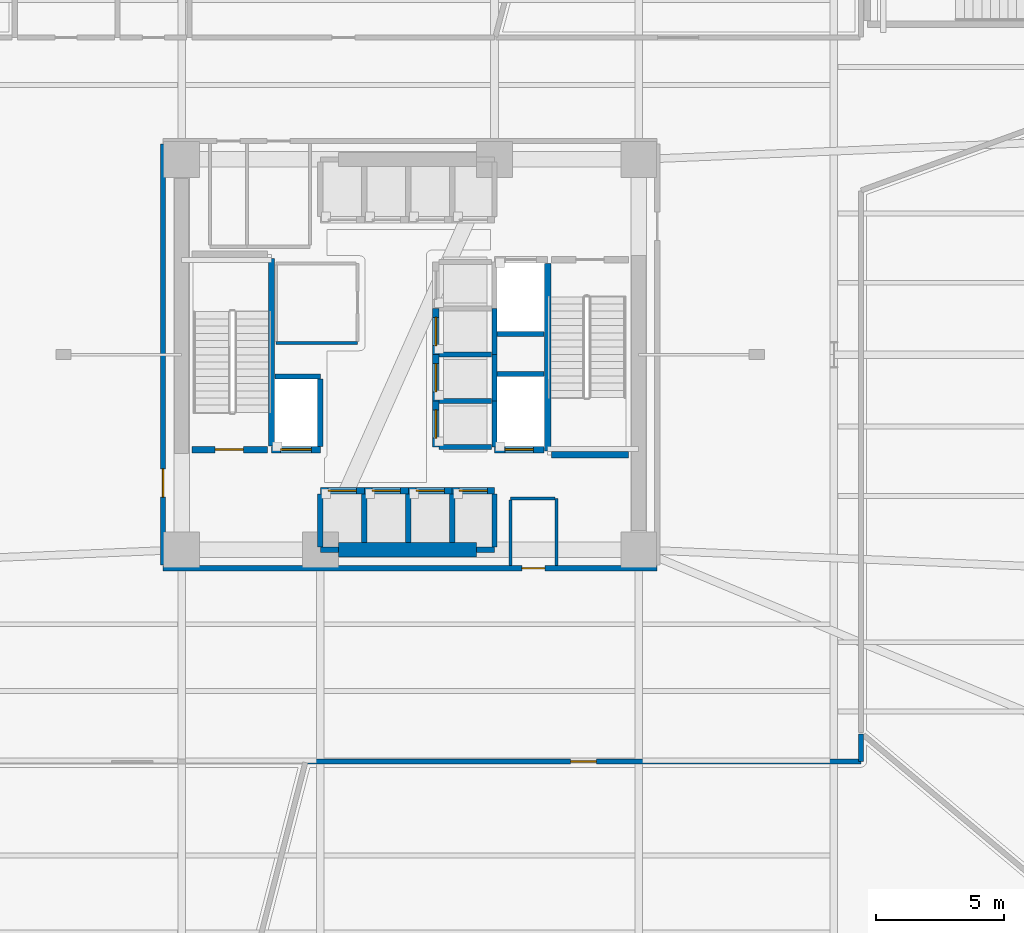
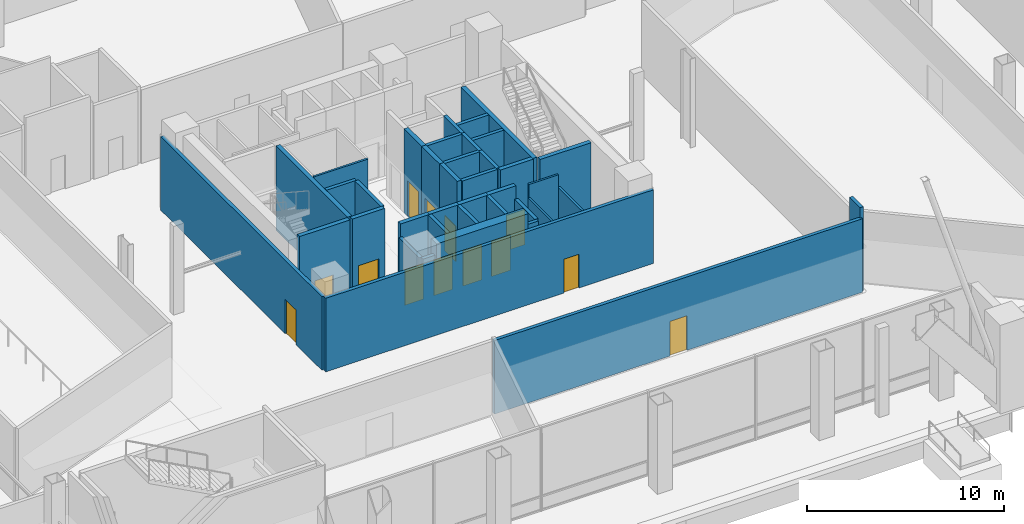
# One storey, part 15 of 27: 39 walls, 13 doors, 13 openings.
"""IFC4 building model written with IfcOpenShell, lengths in metres."""

from ifc_helpers import new_model, si_unit, direction, frame, frame_2d, origin, place, context, subcontext, project, spatial, rectangle, extrude, material, layer, layer_set, type_object, element, fill, save


model = new_model("IFC4")

# Units and contexts
model_context = context("Model", 3, precision=1e-05, world=origin(), true_north=direction((0.0, 1.0)))
body_context = subcontext(model_context, "Body", "Model", "MODEL_VIEW")
ifc_project = project(units=[si_unit("LENGTHUNIT", "METRE"), si_unit("AREAUNIT", "SQUARE_METRE"), si_unit("VOLUMEUNIT", "CUBIC_METRE"), si_unit("PLANEANGLEUNIT", "RADIAN"), si_unit("MASSUNIT", "GRAM", prefix="KILO")], contexts=[model_context])

# Site, building, storey
site_placement = place(None, origin())
site = spatial("IfcSite", under=ifc_project, at=site_placement, CompositionType="ELEMENT")
building_placement = place(site_placement, origin())
building = spatial("IfcBuilding", under=site, at=building_placement, Name="Tharavind Bronze Gate", CompositionType="ELEMENT")
storey_placement = place(building_placement, origin())
storey = spatial("IfcBuildingStorey", under=building, at=storey_placement, Name="L00", CompositionType="ELEMENT", Elevation=0.0)

# Wall, opening, door
ifc_material_1 = material(Name="Aerated Concrete Block", Category="concrete")
ifc_layer_1 = layer(ifc_material_1, 0.199951171875)
ifc_layer_set_1 = layer_set([ifc_layer_1], Name="Aerated Concrete Block")
wall_type_1 = type_object("IfcWallType", Name="FIRE RATED PARTITION 200", PredefinedType="PARTITIONING", material=ifc_layer_set_1)
wall_1_placement = place(storey_placement, frame((-9.6201171875, -8.320068359375, 0.0), z_axis=(0.0, 0.0, 1.0), x_axis=(1.0, 0.0, 0.0)))
wall_1 = element("IfcWall", 1, at=wall_1_placement, inside=storey, type_object=wall_type_1, Name="L00 south core corridor wall", PredefinedType="PARTITIONING", context=body_context, shape_type="SweptSolid", body=[
    extrude(rectangle(XDim=19.240234375, YDim=0.199951171875, at=frame_2d((9.6201171875, 0.0))), origin(), (0.0, 0.0, 1.0), 4.56494140625),
])
opening_1_placement = place(wall_1_placement, frame((13.969970703125, 0.0, 0.0)))
opening_1 = element("IfcOpeningElement", 2, at=opening_1_placement, cuts=wall_1, Name="Opening ID07", PredefinedType="OPENING", context=body_context, shape_type="SweptSolid", body=[
    extrude(rectangle(XDim=0.89990234375, YDim=2.10009765625, at=frame_2d((0.449951171875, 1.050048828125))), frame((0.0, 0.11009765625, 0.0), z_axis=(0.0, -1.0, 0.0), x_axis=(1.0, 0.0, 0.0)), (0.0, 0.0, 1.0), 0.219951171875),
])
ifc_material_2 = material(Name="Galvanised Fire Steel", Category="steel")
door_type_1 = type_object("IfcDoorType", Name="PLANT AND RISER FIRE DOOR 900X2100", OperationType="SINGLE_SWING_LEFT", PredefinedType="DOOR", material=ifc_material_2)
door_1_placement = place(opening_1_placement, frame((0.89990234375, 0.0, 0.0), z_axis=(0.0, 0.0, 1.0), x_axis=(-1.0, 0.0, 0.0)))
door_1 = element("IfcDoor", 3, at=door_1_placement, inside=storey, type_object=door_type_1, Name="L00 Janitor Store Cupboard fire door", OperationType="SINGLE_SWING_LEFT", OverallHeight=2.10009765625, OverallWidth=0.89990234375, PredefinedType="DOOR", context=body_context, shape_type="SweptSolid", body=[
    extrude(rectangle(XDim=0.89990234375, YDim=2.10009765625, at=frame_2d((0.449951171875, 1.050048828125))), frame((0.0, 0.02490234375, 0.0), z_axis=(0.0, -1.0, 0.0), x_axis=(1.0, 0.0, 0.0)), (0.0, 0.0, 1.0), 0.050048828125),
])
fill(opening_1, door_1)

wall_2_placement = place(storey_placement, frame((-9.6201171875, 8.199951171875, 0.0), z_axis=(0.0, 0.0, 1.0), x_axis=(0.0, -1.0, 0.0)))
wall_2 = element("IfcWall", 4, at=wall_2_placement, inside=storey, type_object=wall_type_1, Name="L00 west core corridor wall", PredefinedType="PARTITIONING", context=body_context, shape_type="SweptSolid", body=[
    extrude(rectangle(XDim=16.39990234375, YDim=0.199951171875, at=frame_2d((8.199951171875, 0.0))), origin(), (0.0, 0.0, 1.0), 4.56494140625),
])
opening_2_placement = place(wall_2_placement, frame((12.64990234375, 0.0, 0.0)))
opening_2 = element("IfcOpeningElement", 5, at=opening_2_placement, cuts=wall_2, Name="Opening ID01", PredefinedType="OPENING", context=body_context, shape_type="SweptSolid", body=[
    extrude(rectangle(XDim=1.10009765625, YDim=2.14990234375, at=frame_2d((0.550048828125, 1.074951171875))), frame((0.0, 0.11009765625, 0.0), z_axis=(0.0, -1.0, 0.0), x_axis=(1.0, 0.0, 0.0)), (0.0, 0.0, 1.0), 0.219951171875),
])
ifc_material_3 = material(Name="Fire-Rated Steel", Category="steel")
door_type_2 = type_object("IfcDoorType", Name="STAIR CORE FIRE DOOR 1100X2150", OperationType="SINGLE_SWING_LEFT", PredefinedType="DOOR", material=ifc_material_3)
door_2_placement = place(opening_2_placement, frame((1.10009765625, 0.0, 0.0), z_axis=(0.0, 0.0, 1.0), x_axis=(-1.0, 0.0, 0.0)))
door_2 = element("IfcDoor", 6, at=door_2_placement, inside=storey, type_object=door_type_2, Name="L00 south west stair lobby fire door", OperationType="SINGLE_SWING_LEFT", OverallHeight=2.14990234375, OverallWidth=1.10009765625, PredefinedType="DOOR", context=body_context, shape_type="SweptSolid", body=[
    extrude(rectangle(XDim=1.10009765625, YDim=2.14990234375, at=frame_2d((0.550048828125, 1.074951171875))), frame((0.0, 0.02490234375, 0.0), z_axis=(0.0, -1.0, 0.0), x_axis=(1.0, 0.0, 0.0)), (0.0, 0.0, 1.0), 0.050048828125),
])
fill(opening_2, door_2)

wall_3_placement = place(storey_placement, frame((-4.05615234375, -15.85009765625, 0.0), z_axis=(0.0, 0.0, 1.0), x_axis=(1.0, 0.0, 0.0)))
wall_3 = element("IfcWall", 7, at=wall_3_placement, inside=storey, type_object=wall_type_1, Name="L00 Security Control Room partition", PredefinedType="PARTITIONING", context=body_context, shape_type="SweptSolid", body=[
    extrude(rectangle(XDim=21.60546875, YDim=0.199951171875, at=frame_2d((10.802734375, 0.0))), origin(), (0.0, 0.0, 1.0), 4.56494140625),
])
opening_3_placement = place(wall_3_placement, frame((10.302978515625, 0.0, 0.0)))
opening_3 = element("IfcOpeningElement", 8, at=opening_3_placement, cuts=wall_3, Name="Opening ID04", PredefinedType="OPENING", context=body_context, shape_type="SweptSolid", body=[
    extrude(rectangle(XDim=1.0, YDim=2.14990234375, at=frame_2d((0.5, 1.074951171875))), frame((0.0, 0.11009765625, 0.0), z_axis=(0.0, -1.0, 0.0), x_axis=(1.0, 0.0, 0.0)), (0.0, 0.0, 1.0), 0.219951171875),
])
ifc_material_4 = material(Name="Bronze Framed Acoustic Timber", Category="wood")
door_type_3 = type_object("IfcDoorType", Name="OFFICE TENANCY DOOR 1000X2150", OperationType="SINGLE_SWING_RIGHT", PredefinedType="DOOR", material=ifc_material_4)
door_3_placement = place(opening_3_placement, frame((1.0, 0.0, 0.0), z_axis=(0.0, 0.0, 1.0), x_axis=(-1.0, 0.0, 0.0)))
door_3 = element("IfcDoor", 9, at=door_3_placement, inside=storey, type_object=door_type_3, Name="L00 Security Control Room door", OperationType="SINGLE_SWING_RIGHT", OverallHeight=2.14990234375, OverallWidth=1.0, PredefinedType="DOOR", context=body_context, shape_type="SweptSolid", body=[
    extrude(rectangle(XDim=1.0, YDim=2.14990234375, at=frame_2d((0.5, 1.074951171875))), frame((0.0, 0.02490234375, 0.0), z_axis=(0.0, -1.0, 0.0), x_axis=(1.0, 0.0, 0.0)), (0.0, 0.0, 1.0), 0.050048828125),
])
fill(opening_3, door_3)

# Walls
wall_4_placement = place(storey_placement, frame((17.550048828125, -15.849365234375, 0.0), z_axis=(0.0, 0.0, 1.0), x_axis=(0.0, 1.0, 0.0)))
element("IfcWall", 10, at=wall_4_placement, inside=storey, type_object=wall_type_1, Name="L00 Security Control Room partition", PredefinedType="PARTITIONING", context=body_context, shape_type="SweptSolid", body=[
    extrude(rectangle(XDim=1.069580078125, YDim=0.199951171875, at=frame_2d((0.53466796875, 0.0))), origin(), (0.0, 0.0, 1.0), 5.219970703125),
])
ifc_material_5 = material(Name="Metal Stud Gypsum Partition", Category="gypsum")
ifc_layer_2 = layer(ifc_material_5, 0.1201171875)
ifc_layer_set_2 = layer_set([ifc_layer_2], Name="Metal Stud Gypsum Partition")
wall_type_2 = type_object("IfcWallType", Name="INTERIOR PARTITION WALL 120", PredefinedType="PARTITIONING", material=ifc_layer_set_2)
wall_5_placement = place(storey_placement, frame((-5.219970703125, 0.449951171875, 0.0), z_axis=(0.0, 0.0, 1.0), x_axis=(1.0, 0.0, 0.0)))
element("IfcWall", 11, at=wall_5_placement, inside=storey, type_object=wall_type_2, Name="L00 Electrical & Telecom Store partition 1", PredefinedType="PARTITIONING", context=body_context, shape_type="SweptSolid", body=[
    extrude(rectangle(XDim=3.169921875, YDim=0.1201171875, at=frame_2d((1.5849609375, 0.0))), origin(), (0.0, 0.0, 1.0), 5.219970703125),
])
wall_6_placement = place(storey_placement, frame((5.699951171875, -8.215087890625, 0.0), z_axis=(0.0, 0.0, 1.0), x_axis=(0.0, 1.0, 0.0)))
element("IfcWall", 12, at=wall_6_placement, inside=storey, type_object=wall_type_2, Name="L00 Janitor Store Cupboard partition 2", PredefinedType="PARTITIONING", context=body_context, shape_type="SweptSolid", body=[
    extrude(rectangle(XDim=2.614990234375, YDim=0.1201171875, at=frame_2d((1.3076171875, 0.0))), origin(), (0.0, 0.0, 1.0), 4.4150390625),
])
wall_7_placement = place(storey_placement, frame((5.635009765625, -5.60009765625, 0.0), z_axis=(0.0, 0.0, 1.0), x_axis=(-1.0, 0.0, 0.0)))
element("IfcWall", 13, at=wall_7_placement, inside=storey, type_object=wall_type_2, Name="L00 Janitor Store Cupboard partition 3", PredefinedType="PARTITIONING", context=body_context, shape_type="SweptSolid", body=[
    extrude(rectangle(XDim=1.735107421875, YDim=0.1201171875, at=frame_2d((0.86767578125, 0.0))), origin(), (0.0, 0.0, 1.0), 5.219970703125),
])
wall_8_placement = place(storey_placement, frame((3.89990234375, -5.6650390625, 0.0), z_axis=(0.0, 0.0, 1.0), x_axis=(0.0, -1.0, 0.0)))
element("IfcWall", 14, at=wall_8_placement, inside=storey, type_object=wall_type_2, Name="L00 Janitor Store Cupboard partition 4", PredefinedType="PARTITIONING", context=body_context, shape_type="SweptSolid", body=[
    extrude(rectangle(XDim=2.550048828125, YDim=0.1201171875, at=frame_2d((1.27490234375, 0.0))), origin(), (0.0, 0.0, 1.0), 4.4150390625),
])
ifc_material_6 = material(Name="Concrete C50/60", Category="concrete")
ifc_layer_3 = layer(ifc_material_6, 0.25)
ifc_layer_set_3 = layer_set([ifc_layer_3], Name="Concrete C50/60")
wall_type_3 = type_object("IfcWallType", Name="RC CORE SHEAR WALL 250", PredefinedType="SHEAR", material=ifc_layer_set_3)
wall_9_placement = place(storey_placement, frame((-5.39990234375, -3.550048828125, 0.0), z_axis=(0.0, 0.0, 1.0), x_axis=(0.0, 1.0, 0.0)))
element("IfcWall", 15, at=wall_9_placement, inside=storey, type_object=wall_type_3, Name="L00 ST1 shaft east wall", PredefinedType="SHEAR", context=body_context, shape_type="SweptSolid", body=[
    extrude(rectangle(XDim=7.300048828125, YDim=0.25, at=frame_2d((3.64990234375, 0.0))), origin(), (0.0, 0.0, 1.0), 5.219970703125),
])

# Wall, opening, door
wall_10_placement = place(storey_placement, frame((-8.5, -3.699951171875, 0.0), z_axis=(0.0, 0.0, 1.0), x_axis=(1.0, 0.0, 0.0)))
wall_10 = element("IfcWall", 16, at=wall_10_placement, inside=storey, type_object=wall_type_3, Name="L00 ST1 shaft south wall", PredefinedType="SHEAR", context=body_context, shape_type="SweptSolid", body=[
    extrude(rectangle(XDim=2.949951171875, YDim=0.25, at=frame_2d((1.47509765625, 0.0))), origin(), (0.0, 0.0, 1.0), 5.219970703125),
])
opening_4_placement = place(wall_10_placement, frame((0.89990234375, 0.0, 0.0)))
opening_4 = element("IfcOpeningElement", 17, at=opening_4_placement, cuts=wall_10, Name="Opening ID01", PredefinedType="OPENING", context=body_context, shape_type="SweptSolid", body=[
    extrude(rectangle(XDim=1.10009765625, YDim=2.14990234375, at=frame_2d((0.550048828125, 1.074951171875))), frame((0.0, 0.135, 0.0), z_axis=(0.0, -1.0, 0.0), x_axis=(1.0, 0.0, 0.0)), (0.0, 0.0, 1.0), 0.27),
])
door_4_placement = place(opening_4_placement, origin())
door_4 = element("IfcDoor", 18, at=door_4_placement, inside=storey, type_object=door_type_2, Name="L00 exit stair ST1 fire door", OperationType="SINGLE_SWING_LEFT", OverallHeight=2.14990234375, OverallWidth=1.10009765625, PredefinedType="DOOR", context=body_context, shape_type="SweptSolid", body=[
    extrude(rectangle(XDim=1.10009765625, YDim=2.14990234375, at=frame_2d((0.550048828125, 1.074951171875))), frame((0.0, 0.02490234375, 0.0), z_axis=(0.0, -1.0, 0.0), x_axis=(1.0, 0.0, 0.0)), (0.0, 0.0, 1.0), 0.050048828125),
])
fill(opening_4, door_4)

# Walls
wall_11_placement = place(storey_placement, frame((5.35009765625, -3.75, 0.0), z_axis=(0.0, 0.0, 1.0), x_axis=(0.0, 1.0, 0.0)))
element("IfcWall", 19, at=wall_11_placement, inside=storey, type_object=wall_type_3, Name="L00 ST2 shaft west wall", PredefinedType="SHEAR", context=body_context, shape_type="SweptSolid", body=[
    extrude(rectangle(XDim=7.300048828125, YDim=0.25, at=frame_2d((3.64990234375, 0.0))), origin(), (0.0, 0.0, 1.0), 5.219970703125),
])
wall_12_placement = place(storey_placement, frame((5.5, -3.89990234375, 0.0), z_axis=(0.0, 0.0, 1.0), x_axis=(1.0, 0.0, 0.0)))
element("IfcWall", 20, at=wall_12_placement, inside=storey, type_object=wall_type_3, Name="L00 ST2 shaft south wall", PredefinedType="SHEAR", context=body_context, shape_type="SweptSolid", body=[
    extrude(rectangle(XDim=3.0, YDim=0.25, at=frame_2d((1.5, 0.0))), origin(), (0.0, 0.0, 1.0), 5.219970703125),
])

# Wall, opening, door
wall_13_placement = place(storey_placement, frame((-3.5, -5.300048828125, 0.0), z_axis=(0.0, 0.0, 1.0), x_axis=(1.0, 0.0, 0.0)))
wall_13 = element("IfcWall", 21, at=wall_13_placement, inside=storey, type_object=wall_type_3, Name="L00 lift PL1 shaft front wall", PredefinedType="SHEAR", context=body_context, shape_type="SweptSolid", body=[
    extrude(rectangle(XDim=1.71240234375, YDim=0.25, at=frame_2d((0.856201171875, 0.0))), origin(), (0.0, 0.0, 1.0), 5.219970703125),
])
opening_5_placement = place(wall_13_placement, frame((0.305908203125, 0.0, 0.0)))
opening_5 = element("IfcOpeningElement", 22, at=opening_5_placement, cuts=wall_13, Name="Opening LD01", PredefinedType="OPENING", context=body_context, shape_type="SweptSolid", body=[
    extrude(rectangle(XDim=1.10009765625, YDim=2.199951171875, at=frame_2d((0.550048828125, 1.10009765625))), frame((0.0, 0.135, 0.0), z_axis=(0.0, -1.0, 0.0), x_axis=(1.0, 0.0, 0.0)), (0.0, 0.0, 1.0), 0.27),
])
ifc_material_7 = material(Name="Brushed Bronze Stainless Steel", Category="steel")
door_type_4 = type_object("IfcDoorType", Name="LIFT LANDING SLIDING DOOR 1100X2200", OperationType="SLIDING_TO_LEFT", PredefinedType="DOOR", material=ifc_material_7)
door_5_placement = place(opening_5_placement, origin())
door_5 = element("IfcDoor", 23, at=door_5_placement, inside=storey, type_object=door_type_4, Name="L00 lift PL1 sliding landing door", OperationType="SLIDING_TO_LEFT", OverallHeight=2.199951171875, OverallWidth=1.10009765625, PredefinedType="DOOR", context=body_context, shape_type="SweptSolid", body=[
    extrude(rectangle(XDim=1.10009765625, YDim=2.199951171875, at=frame_2d((0.550048828125, 1.10009765625))), frame((0.0, 0.02490234375, 0.0), z_axis=(0.0, -1.0, 0.0), x_axis=(1.0, 0.0, 0.0)), (0.0, 0.0, 1.0), 0.050048828125),
])
fill(opening_5, door_5)

wall_14_placement = place(storey_placement, frame((-1.78759765625, -5.300048828125, 0.0), z_axis=(0.0, 0.0, 1.0), x_axis=(1.0, 0.0, 0.0)))
wall_14 = element("IfcWall", 24, at=wall_14_placement, inside=storey, type_object=wall_type_3, Name="L00 lift PL2 shaft front wall", PredefinedType="SHEAR", context=body_context, shape_type="SweptSolid", body=[
    extrude(rectangle(XDim=1.712646484375, YDim=0.25, at=frame_2d((0.8564453125, 0.0))), origin(), (0.0, 0.0, 1.0), 5.219970703125),
])
opening_6_placement = place(wall_14_placement, frame((0.305908203125, 0.0, 0.0)))
opening_6 = element("IfcOpeningElement", 25, at=opening_6_placement, cuts=wall_14, Name="Opening LD01", PredefinedType="OPENING", context=body_context, shape_type="SweptSolid", body=[
    extrude(rectangle(XDim=1.10009765625, YDim=2.199951171875, at=frame_2d((0.550048828125, 1.10009765625))), frame((0.0, 0.135, 0.0), z_axis=(0.0, -1.0, 0.0), x_axis=(1.0, 0.0, 0.0)), (0.0, 0.0, 1.0), 0.27),
])
door_6_placement = place(opening_6_placement, origin())
door_6 = element("IfcDoor", 26, at=door_6_placement, inside=storey, type_object=door_type_4, Name="L00 lift PL2 sliding landing door", OperationType="SLIDING_TO_LEFT", OverallHeight=2.199951171875, OverallWidth=1.10009765625, PredefinedType="DOOR", context=body_context, shape_type="SweptSolid", body=[
    extrude(rectangle(XDim=1.10009765625, YDim=2.199951171875, at=frame_2d((0.550048828125, 1.10009765625))), frame((0.0, 0.02490234375, 0.0), z_axis=(0.0, -1.0, 0.0), x_axis=(1.0, 0.0, 0.0)), (0.0, 0.0, 1.0), 0.050048828125),
])
fill(opening_6, door_6)

wall_15_placement = place(storey_placement, frame((-0.074951171875, -5.300048828125, 0.0), z_axis=(0.0, 0.0, 1.0), x_axis=(1.0, 0.0, 0.0)))
wall_15 = element("IfcWall", 27, at=wall_15_placement, inside=storey, type_object=wall_type_3, Name="L00 lift PL3 shaft front wall", PredefinedType="SHEAR", context=body_context, shape_type="SweptSolid", body=[
    extrude(rectangle(XDim=1.71240234375, YDim=0.25, at=frame_2d((0.856201171875, 0.0))), origin(), (0.0, 0.0, 1.0), 5.219970703125),
])
opening_7_placement = place(wall_15_placement, frame((0.305908203125, 0.0, 0.0)))
opening_7 = element("IfcOpeningElement", 28, at=opening_7_placement, cuts=wall_15, Name="Opening LD01", PredefinedType="OPENING", context=body_context, shape_type="SweptSolid", body=[
    extrude(rectangle(XDim=1.10009765625, YDim=2.199951171875, at=frame_2d((0.550048828125, 1.10009765625))), frame((0.0, 0.135, 0.0), z_axis=(0.0, -1.0, 0.0), x_axis=(1.0, 0.0, 0.0)), (0.0, 0.0, 1.0), 0.27),
])
door_7_placement = place(opening_7_placement, origin())
door_7 = element("IfcDoor", 29, at=door_7_placement, inside=storey, type_object=door_type_4, Name="L00 lift PL3 sliding landing door", OperationType="SLIDING_TO_LEFT", OverallHeight=2.199951171875, OverallWidth=1.10009765625, PredefinedType="DOOR", context=body_context, shape_type="SweptSolid", body=[
    extrude(rectangle(XDim=1.10009765625, YDim=2.199951171875, at=frame_2d((0.550048828125, 1.10009765625))), frame((0.0, 0.02490234375, 0.0), z_axis=(0.0, -1.0, 0.0), x_axis=(1.0, 0.0, 0.0)), (0.0, 0.0, 1.0), 0.050048828125),
])
fill(opening_7, door_7)

wall_16_placement = place(storey_placement, frame((1.637451171875, -5.300048828125, 0.0), z_axis=(0.0, 0.0, 1.0), x_axis=(1.0, 0.0, 0.0)))
wall_16 = element("IfcWall", 30, at=wall_16_placement, inside=storey, type_object=wall_type_3, Name="L00 lift PL4 shaft front wall", PredefinedType="SHEAR", context=body_context, shape_type="SweptSolid", body=[
    extrude(rectangle(XDim=1.642578125, YDim=0.25, at=frame_2d((0.8212890625, 0.0))), origin(), (0.0, 0.0, 1.0), 5.219970703125),
])
opening_8_placement = place(wall_16_placement, frame((0.27099609375, 0.0, 0.0)))
opening_8 = element("IfcOpeningElement", 31, at=opening_8_placement, cuts=wall_16, Name="Opening LD01", PredefinedType="OPENING", context=body_context, shape_type="SweptSolid", body=[
    extrude(rectangle(XDim=1.10009765625, YDim=2.199951171875, at=frame_2d((0.550048828125, 1.10009765625))), frame((0.0, 0.135, 0.0), z_axis=(0.0, -1.0, 0.0), x_axis=(1.0, 0.0, 0.0)), (0.0, 0.0, 1.0), 0.27),
])
door_8_placement = place(opening_8_placement, origin())
door_8 = element("IfcDoor", 32, at=door_8_placement, inside=storey, type_object=door_type_4, Name="L00 lift PL4 sliding landing door", OperationType="SLIDING_TO_LEFT", OverallHeight=2.199951171875, OverallWidth=1.10009765625, PredefinedType="DOOR", context=body_context, shape_type="SweptSolid", body=[
    extrude(rectangle(XDim=1.10009765625, YDim=2.199951171875, at=frame_2d((0.550048828125, 1.10009765625))), frame((0.0, 0.02490234375, 0.0), z_axis=(0.0, -1.0, 0.0), x_axis=(1.0, 0.0, 0.0)), (0.0, 0.0, 1.0), 0.050048828125),
])
fill(opening_8, door_8)

wall_17_placement = place(storey_placement, frame((1.0, -3.60009765625, 0.0), z_axis=(0.0, 0.0, 1.0), x_axis=(0.0, 1.0, 0.0)))
wall_17 = element("IfcWall", 33, at=wall_17_placement, inside=storey, type_object=wall_type_3, Name="L00 lift PL9 shaft front wall", PredefinedType="SHEAR", context=body_context, shape_type="SweptSolid", body=[
    extrude(rectangle(XDim=1.800048828125, YDim=0.25, at=frame_2d((0.89990234375, 0.0))), origin(), (0.0, 0.0, 1.0), 5.219970703125),
])
opening_9_placement = place(wall_17_placement, frame((0.35009765625, 0.0, 0.0)))
opening_9 = element("IfcOpeningElement", 34, at=opening_9_placement, cuts=wall_17, Name="Opening LD01", PredefinedType="OPENING", context=body_context, shape_type="SweptSolid", body=[
    extrude(rectangle(XDim=1.10009765625, YDim=2.199951171875, at=frame_2d((0.550048828125, 1.10009765625))), frame((0.0, 0.135, 0.0), z_axis=(0.0, -1.0, 0.0), x_axis=(1.0, 0.0, 0.0)), (0.0, 0.0, 1.0), 0.27),
])
door_9_placement = place(opening_9_placement, origin())
door_9 = element("IfcDoor", 35, at=door_9_placement, inside=storey, type_object=door_type_4, Name="L00 lift PL9 sliding landing door", OperationType="SLIDING_TO_LEFT", OverallHeight=2.199951171875, OverallWidth=1.10009765625, PredefinedType="DOOR", context=body_context, shape_type="SweptSolid", body=[
    extrude(rectangle(XDim=1.10009765625, YDim=2.199951171875, at=frame_2d((0.550048828125, 1.10009765625))), frame((0.0, 0.02490234375, 0.0), z_axis=(0.0, -1.0, 0.0), x_axis=(1.0, 0.0, 0.0)), (0.0, 0.0, 1.0), 0.050048828125),
])
fill(opening_9, door_9)

wall_18_placement = place(storey_placement, frame((1.0, -1.800048828125, 0.0), z_axis=(0.0, 0.0, 1.0), x_axis=(0.0, 1.0, 0.0)))
wall_18 = element("IfcWall", 36, at=wall_18_placement, inside=storey, type_object=wall_type_3, Name="L00 lift PL10 shaft front wall", PredefinedType="SHEAR", context=body_context, shape_type="SweptSolid", body=[
    extrude(rectangle(XDim=1.800048828125, YDim=0.25, at=frame_2d((0.89990234375, 0.0))), origin(), (0.0, 0.0, 1.0), 5.219970703125),
])
opening_10_placement = place(wall_18_placement, frame((0.35009765625, 0.0, 0.0)))
opening_10 = element("IfcOpeningElement", 37, at=opening_10_placement, cuts=wall_18, Name="Opening LD01", PredefinedType="OPENING", context=body_context, shape_type="SweptSolid", body=[
    extrude(rectangle(XDim=1.10009765625, YDim=2.199951171875, at=frame_2d((0.550048828125, 1.10009765625))), frame((0.0, 0.135, 0.0), z_axis=(0.0, -1.0, 0.0), x_axis=(1.0, 0.0, 0.0)), (0.0, 0.0, 1.0), 0.27),
])
door_10_placement = place(opening_10_placement, origin())
door_10 = element("IfcDoor", 38, at=door_10_placement, inside=storey, type_object=door_type_4, Name="L00 lift PL10 sliding landing door", OperationType="SLIDING_TO_LEFT", OverallHeight=2.199951171875, OverallWidth=1.10009765625, PredefinedType="DOOR", context=body_context, shape_type="SweptSolid", body=[
    extrude(rectangle(XDim=1.10009765625, YDim=2.199951171875, at=frame_2d((0.550048828125, 1.10009765625))), frame((0.0, 0.02490234375, 0.0), z_axis=(0.0, -1.0, 0.0), x_axis=(1.0, 0.0, 0.0)), (0.0, 0.0, 1.0), 0.050048828125),
])
fill(opening_10, door_10)

wall_19_placement = place(storey_placement, frame((1.0, 0.0, 0.0), z_axis=(0.0, 0.0, 1.0), x_axis=(0.0, 1.0, 0.0)))
wall_19 = element("IfcWall", 39, at=wall_19_placement, inside=storey, type_object=wall_type_3, Name="L00 lift PL11 shaft front wall", PredefinedType="SHEAR", context=body_context, shape_type="SweptSolid", body=[
    extrude(rectangle(XDim=1.800048828125, YDim=0.25, at=frame_2d((0.89990234375, 0.0))), origin(), (0.0, 0.0, 1.0), 5.219970703125),
])
opening_11_placement = place(wall_19_placement, frame((0.35009765625, 0.0, 0.0)))
opening_11 = element("IfcOpeningElement", 40, at=opening_11_placement, cuts=wall_19, Name="Opening LD01", PredefinedType="OPENING", context=body_context, shape_type="SweptSolid", body=[
    extrude(rectangle(XDim=1.10009765625, YDim=2.199951171875, at=frame_2d((0.550048828125, 1.10009765625))), frame((0.0, 0.135, 0.0), z_axis=(0.0, -1.0, 0.0), x_axis=(1.0, 0.0, 0.0)), (0.0, 0.0, 1.0), 0.27),
])
door_11_placement = place(opening_11_placement, origin())
door_11 = element("IfcDoor", 41, at=door_11_placement, inside=storey, type_object=door_type_4, Name="L00 lift PL11 sliding landing door", OperationType="SLIDING_TO_LEFT", OverallHeight=2.199951171875, OverallWidth=1.10009765625, PredefinedType="DOOR", context=body_context, shape_type="SweptSolid", body=[
    extrude(rectangle(XDim=1.10009765625, YDim=2.199951171875, at=frame_2d((0.550048828125, 1.10009765625))), frame((0.0, 0.02490234375, 0.0), z_axis=(0.0, -1.0, 0.0), x_axis=(1.0, 0.0, 0.0)), (0.0, 0.0, 1.0), 0.050048828125),
])
fill(opening_11, door_11)

wall_20_placement = place(storey_placement, frame((-5.39990234375, -3.699951171875, 0.0), z_axis=(0.0, 0.0, 1.0), x_axis=(1.0, 0.0, 0.0)))
wall_20 = element("IfcWall", 42, at=wall_20_placement, inside=storey, type_object=wall_type_3, Name="L00 lift FFL1 shaft front wall", PredefinedType="SHEAR", context=body_context, shape_type="SweptSolid", body=[
    extrude(rectangle(XDim=1.89990234375, YDim=0.25, at=frame_2d((0.949951171875, 0.0))), origin(), (0.0, 0.0, 1.0), 5.219970703125),
])
opening_12_placement = place(wall_20_placement, frame((0.35009765625, 0.0, 0.0)))
opening_12 = element("IfcOpeningElement", 43, at=opening_12_placement, cuts=wall_20, Name="Opening LD02", PredefinedType="OPENING", context=body_context, shape_type="SweptSolid", body=[
    extrude(rectangle(XDim=1.199951171875, YDim=2.199951171875, at=frame_2d((0.60009765625, 1.10009765625))), frame((0.0, 0.135, 0.0), z_axis=(0.0, -1.0, 0.0), x_axis=(1.0, 0.0, 0.0)), (0.0, 0.0, 1.0), 0.27),
])
ifc_material_8 = material(Name="Brushed Stainless Steel", Category="steel")
door_type_5 = type_object("IfcDoorType", Name="FIREFIGHTING LIFT LANDING DOOR 1200X2200", OperationType="SLIDING_TO_RIGHT", PredefinedType="DOOR", material=ifc_material_8)
door_12_placement = place(opening_12_placement, origin())
door_12 = element("IfcDoor", 44, at=door_12_placement, inside=storey, type_object=door_type_5, Name="L00 lift FFL1 sliding landing door", OperationType="SLIDING_TO_RIGHT", OverallHeight=2.199951171875, OverallWidth=1.199951171875, PredefinedType="DOOR", context=body_context, shape_type="SweptSolid", body=[
    extrude(rectangle(XDim=1.199951171875, YDim=2.199951171875, at=frame_2d((0.60009765625, 1.10009765625))), frame((0.0, 0.02490234375, 0.0), z_axis=(0.0, -1.0, 0.0), x_axis=(1.0, 0.0, 0.0)), (0.0, 0.0, 1.0), 0.050048828125),
])
fill(opening_12, door_12)

wall_21_placement = place(storey_placement, frame((3.280029296875, -3.699951171875, 0.0), z_axis=(0.0, 0.0, 1.0), x_axis=(1.0, 0.0, 0.0)))
wall_21 = element("IfcWall", 45, at=wall_21_placement, inside=storey, type_object=wall_type_3, Name="L00 lift SVL1 shaft front wall", PredefinedType="SHEAR", context=body_context, shape_type="SweptSolid", body=[
    extrude(rectangle(XDim=1.93994140625, YDim=0.25, at=frame_2d((0.969970703125, 0.0))), origin(), (0.0, 0.0, 1.0), 5.219970703125),
])
opening_13_placement = place(wall_21_placement, frame((0.419921875, 0.0, 0.0)))
opening_13 = element("IfcOpeningElement", 46, at=opening_13_placement, cuts=wall_21, Name="Opening LD01", PredefinedType="OPENING", context=body_context, shape_type="SweptSolid", body=[
    extrude(rectangle(XDim=1.10009765625, YDim=2.199951171875, at=frame_2d((0.550048828125, 1.10009765625))), frame((0.0, 0.135, 0.0), z_axis=(0.0, -1.0, 0.0), x_axis=(1.0, 0.0, 0.0)), (0.0, 0.0, 1.0), 0.27),
])
door_13_placement = place(opening_13_placement, origin())
door_13 = element("IfcDoor", 47, at=door_13_placement, inside=storey, type_object=door_type_4, Name="L00 lift SVL1 sliding landing door", OperationType="SLIDING_TO_LEFT", OverallHeight=2.199951171875, OverallWidth=1.10009765625, PredefinedType="DOOR", context=body_context, shape_type="SweptSolid", body=[
    extrude(rectangle(XDim=1.10009765625, YDim=2.199951171875, at=frame_2d((0.550048828125, 1.10009765625))), frame((0.0, 0.02490234375, 0.0), z_axis=(0.0, -1.0, 0.0), x_axis=(1.0, 0.0, 0.0)), (0.0, 0.0, 1.0), 0.050048828125),
])
fill(opening_13, door_13)

# Walls
ifc_material_9 = material(Name="Concrete C60/75", Category="concrete")
ifc_layer_4 = layer(ifc_material_9, 0.550048828125)
ifc_layer_set_4 = layer_set([ifc_layer_4], Name="Concrete C60/75")
wall_type_4 = type_object("IfcWallType", Name="RC CORE SHEAR WALL 550", PredefinedType="SHEAR", material=ifc_layer_set_4)
wall_22_placement = place(storey_placement, frame((-2.800048828125, -7.60009765625, 0.0), z_axis=(0.0, 0.0, 1.0), x_axis=(1.0, 0.0, 0.0)))
element("IfcWall", 48, at=wall_22_placement, inside=storey, type_object=wall_type_4, Name="L00 south core shear wall", PredefinedType="SHEAR", context=body_context, shape_type="SweptSolid", body=[
    extrude(rectangle(XDim=5.380126953125, YDim=0.550048828125, at=frame_2d((2.68994140625, 0.0))), origin(), (0.0, 0.0, 1.0), 5.219970703125),
])
ifc_material_10 = material(Name="Concrete C40/50", Category="concrete")
ifc_layer_5 = layer(ifc_material_10, 0.199951171875)
ifc_layer_set_5 = layer_set([ifc_layer_5], Name="Concrete C40/50")
wall_type_5 = type_object("IfcWallType", Name="SHAFT ENCLOSURE WALL 200", PredefinedType="PARTITIONING", material=ifc_layer_set_5)
wall_23_placement = place(storey_placement, frame((-3.5, -7.60009765625, 0.0), z_axis=(0.0, 0.0, 1.0), x_axis=(1.0, 0.0, 0.0)))
element("IfcWall", 49, at=wall_23_placement, inside=storey, type_object=wall_type_5, Name="L00 lift PL1 shaft S enclosure wall", PredefinedType="PARTITIONING", context=body_context, shape_type="SweptSolid", body=[
    extrude(rectangle(XDim=0.699951171875, YDim=0.199951171875, at=frame_2d((0.35009765625, 0.0))), origin(), (0.0, 0.0, 1.0), 4.4150390625),
])
wall_24_placement = place(storey_placement, frame((-3.5, -7.4951171875, 0.0), z_axis=(0.0, 0.0, 1.0), x_axis=(0.0, 1.0, 0.0)))
element("IfcWall", 50, at=wall_24_placement, inside=storey, type_object=wall_type_5, Name="L00 lift PL1 shaft W enclosure wall", PredefinedType="PARTITIONING", context=body_context, shape_type="SweptSolid", body=[
    extrude(rectangle(XDim=2.065185546875, YDim=0.199951171875, at=frame_2d((1.03271484375, 0.0))), origin(), (0.0, 0.0, 1.0), 4.4150390625),
])
for number, where, z_axis, x_axis, name in (
    (51, (-1.78759765625, -7.320068359375, 0.0), (0.0, 0.0, 1.0), (0.0, 1.0, 0.0), "L00 lift PL1 shaft E enclosure wall"),
    (52, (-0.074951171875, -7.320068359375, 0.0), (0.0, 0.0, 1.0), (0.0, 1.0, 0.0), "L00 lift PL2 shaft E enclosure wall"),
    (53, (1.637451171875, -7.320068359375, 0.0), (0.0, 0.0, 1.0), (0.0, 1.0, 0.0), "L00 lift PL3 shaft E enclosure wall"),
):
    element("IfcWall", number, at=place(storey_placement, frame(where, z_axis=z_axis, x_axis=x_axis)), inside=storey, type_object=wall_type_5, Name=name, PredefinedType="PARTITIONING", context=body_context, shape_type="SweptSolid", body=[
        extrude(rectangle(XDim=1.89013671875, YDim=0.199951171875, at=frame_2d((0.945068359375, 0.0))), origin(), (0.0, 0.0, 1.0), 5.219970703125),
    ])
wall_25_placement = place(storey_placement, frame((2.580078125, -7.60009765625, 0.0), z_axis=(0.0, 0.0, 1.0), x_axis=(1.0, 0.0, 0.0)))
element("IfcWall", 54, at=wall_25_placement, inside=storey, type_object=wall_type_5, Name="L00 lift PL4 shaft S enclosure wall", PredefinedType="PARTITIONING", context=body_context, shape_type="SweptSolid", body=[
    extrude(rectangle(XDim=0.699951171875, YDim=0.199951171875, at=frame_2d((0.35009765625, 0.0))), origin(), (0.0, 0.0, 1.0), 4.4150390625),
])
wall_26_placement = place(storey_placement, frame((3.280029296875, -7.4951171875, 0.0), z_axis=(0.0, 0.0, 1.0), x_axis=(0.0, 1.0, 0.0)))
element("IfcWall", 55, at=wall_26_placement, inside=storey, type_object=wall_type_5, Name="L00 lift PL4 shaft E enclosure wall", PredefinedType="PARTITIONING", context=body_context, shape_type="SweptSolid", body=[
    extrude(rectangle(XDim=2.065185546875, YDim=0.199951171875, at=frame_2d((1.03271484375, 0.0))), origin(), (0.0, 0.0, 1.0), 4.4150390625),
])
wall_27_placement = place(storey_placement, frame((3.280029296875, -3.60009765625, 0.0), z_axis=(0.0, 0.0, 1.0), x_axis=(0.0, 1.0, 0.0)))
element("IfcWall", 56, at=wall_27_placement, inside=storey, type_object=wall_type_5, Name="L00 lift PL9 shaft E enclosure wall", PredefinedType="PARTITIONING", context=body_context, shape_type="SweptSolid", body=[
    extrude(rectangle(XDim=1.800048828125, YDim=0.199951171875, at=frame_2d((0.89990234375, 0.0))), origin(), (0.0, 0.0, 1.0), 5.219970703125),
])
for number, where, z_axis, x_axis, name in (
    (57, (1.1298828125, -3.60009765625, 0.0), (0.0, 0.0, 1.0), (1.0, 0.0, 0.0), "L00 lift PL9 shaft S enclosure wall"),
    (58, (1.1298828125, -1.800048828125, 0.0), (0.0, 0.0, 1.0), (1.0, 0.0, 0.0), "L00 lift PL9 shaft N enclosure wall"),
):
    element("IfcWall", number, at=place(storey_placement, frame(where, z_axis=z_axis, x_axis=x_axis)), inside=storey, type_object=wall_type_5, Name=name, PredefinedType="PARTITIONING", context=body_context, shape_type="SweptSolid", body=[
        extrude(rectangle(XDim=2.045166015625, YDim=0.199951171875, at=frame_2d((1.0224609375, 0.0))), origin(), (0.0, 0.0, 1.0), 5.219970703125),
    ])
wall_28_placement = place(storey_placement, frame((3.280029296875, -1.800048828125, 0.0), z_axis=(0.0, 0.0, 1.0), x_axis=(0.0, 1.0, 0.0)))
element("IfcWall", 59, at=wall_28_placement, inside=storey, type_object=wall_type_5, Name="L00 lift PL10 shaft E enclosure wall", PredefinedType="PARTITIONING", context=body_context, shape_type="SweptSolid", body=[
    extrude(rectangle(XDim=1.800048828125, YDim=0.199951171875, at=frame_2d((0.89990234375, 0.0))), origin(), (0.0, 0.0, 1.0), 5.219970703125),
])
wall_29_placement = place(storey_placement, frame((1.1298828125, 0.0, 0.0), z_axis=(0.0, 0.0, 1.0), x_axis=(1.0, 0.0, 0.0)))
element("IfcWall", 60, at=wall_29_placement, inside=storey, type_object=wall_type_5, Name="L00 lift PL10 shaft N enclosure wall", PredefinedType="PARTITIONING", context=body_context, shape_type="SweptSolid", body=[
    extrude(rectangle(XDim=2.045166015625, YDim=0.199951171875, at=frame_2d((1.0224609375, 0.0))), origin(), (0.0, 0.0, 1.0), 5.219970703125),
])
wall_30_placement = place(storey_placement, frame((3.280029296875, 0.0, 0.0), z_axis=(0.0, 0.0, 1.0), x_axis=(0.0, 1.0, 0.0)))
element("IfcWall", 61, at=wall_30_placement, inside=storey, type_object=wall_type_5, Name="L00 lift PL11 shaft E enclosure wall", PredefinedType="PARTITIONING", context=body_context, shape_type="SweptSolid", body=[
    extrude(rectangle(XDim=1.800048828125, YDim=0.199951171875, at=frame_2d((0.89990234375, 0.0))), origin(), (0.0, 0.0, 1.0), 5.219970703125),
])
wall_31_placement = place(storey_placement, frame((-5.27001953125, -0.85009765625, 0.0), z_axis=(0.0, 0.0, 1.0), x_axis=(1.0, 0.0, 0.0)))
element("IfcWall", 62, at=wall_31_placement, inside=storey, type_object=wall_type_5, Name="L00 lift FFL1 shaft N enclosure wall", PredefinedType="PARTITIONING", context=body_context, shape_type="SweptSolid", body=[
    extrude(rectangle(XDim=1.77001953125, YDim=0.199951171875, at=frame_2d((0.885009765625, 0.0))), origin(), (0.0, 0.0, 1.0), 5.219970703125),
])
wall_32_placement = place(storey_placement, frame((-3.5, -3.570068359375, 0.0), z_axis=(0.0, 0.0, 1.0), x_axis=(0.0, 1.0, 0.0)))
element("IfcWall", 63, at=wall_32_placement, inside=storey, type_object=wall_type_5, Name="L00 lift FFL1 shaft E enclosure wall", PredefinedType="PARTITIONING", context=body_context, shape_type="SweptSolid", body=[
    extrude(rectangle(XDim=2.614990234375, YDim=0.199951171875, at=frame_2d((1.3076171875, 0.0))), origin(), (0.0, 0.0, 1.0), 5.219970703125),
])
for number, where, z_axis, x_axis, name in (
    (64, (3.385009765625, 0.800048828125, 0.0), (0.0, 0.0, 1.0), (1.0, 0.0, 0.0), "L00 lift FFL2 shaft S enclosure wall"),
    (65, (3.385009765625, -0.75, 0.0), (0.0, 0.0, 1.0), (1.0, 0.0, 0.0), "L00 lift SVL1 shaft N enclosure wall"),
):
    element("IfcWall", number, at=place(storey_placement, frame(where, z_axis=z_axis, x_axis=x_axis)), inside=storey, type_object=wall_type_5, Name=name, PredefinedType="PARTITIONING", context=body_context, shape_type="SweptSolid", body=[
        extrude(rectangle(XDim=1.8349609375, YDim=0.199951171875, at=frame_2d((0.91748046875, 0.0))), origin(), (0.0, 0.0, 1.0), 5.219970703125),
    ])

save(model, "model.ifc")
